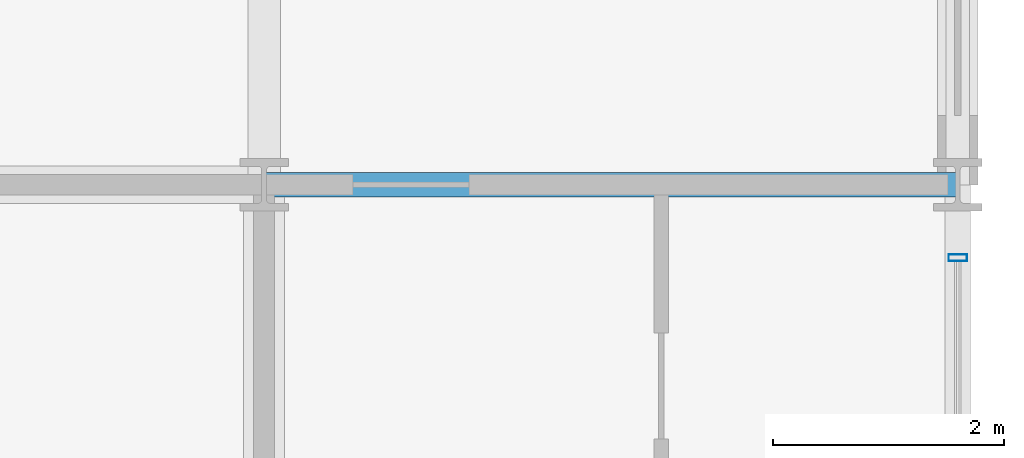
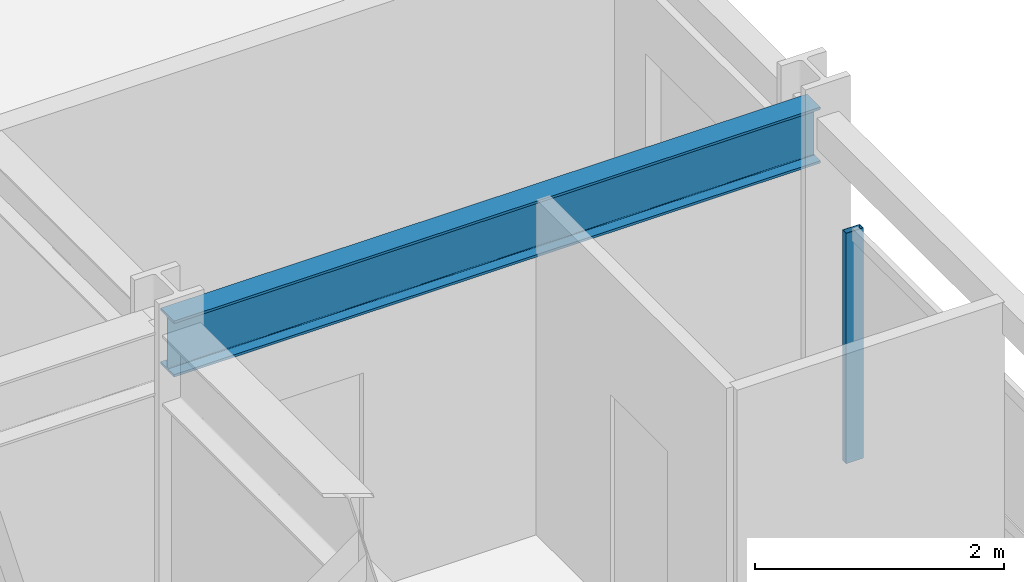
# One storey, part 12 of 26: 1 beam, 1 member, 1 element without a shape of its own.
"""IFC4 building model written with IfcOpenShell, lengths in metres."""

import ifcopenshell
import ifcopenshell.guid

model = None  # the IFC model being written
_history = None  # IfcOwnerHistory: only IFC2X3 demands one
_inside = {}  # id of a spatial element -> (the spatial element, [elements in it])
_under = {}  # id of a project, library or spatial element -> (it, [spatial elements below it])
_declared = {}  # id of a project -> (the project, [libraries it declares])
_typed = {}  # id of a type object -> (the type object, [elements of that type])
_made_of = {}  # id of a material, layer set ... -> (it, [elements and type objects made of it])


def new_model(schema):
    """Start an empty IFC model of exactly this schema.

    Asked for "IFC4X3", IfcOpenShell would pick the latest addendum, in which some entities
    have other attributes; the version numbers below select the first issue.
    IFC2X3 requires an IfcOwnerHistory on every rooted entity: one is made here for all.
    """
    global model, _history
    if schema == "IFC4X3":
        model = ifcopenshell.file(schema_version=(4, 3, 0, 0))
    else:
        model = ifcopenshell.file(schema=schema)
    _inside.clear()
    _under.clear()
    _declared.clear()
    _typed.clear()
    _made_of.clear()
    _history = None
    if model.schema == "IFC2X3":
        org = make("IfcOrganization", Name="unknown")
        user = make(
            "IfcPersonAndOrganization",
            ThePerson=make("IfcPerson", FamilyName="unknown"),
            TheOrganization=org,
        )
        app = make(
            "IfcApplication",
            ApplicationDeveloper=org,
            Version="unknown",
            ApplicationFullName="unknown",
            ApplicationIdentifier="unknown",
        )
        _history = make(
            "IfcOwnerHistory",
            OwningUser=user,
            OwningApplication=app,
            ChangeAction="ADDED",
            CreationDate=0,
        )
    return model


def make(cls, **values):
    """One entity of the class cls with the attributes given. An attribute that is None is left unset."""
    return model.create_entity(
        cls, **{name: value for name, value in values.items() if value is not None}
    )


def rooted(cls, **values):
    """An entity with a GlobalId (a new one), such as an element, a storey or a relation."""
    return make(cls, GlobalId=ifcopenshell.guid.new(), OwnerHistory=_history, **values)


def si_unit(unit_type, name, prefix=None):
    """IfcSIUnit, for example si_unit("LENGTHUNIT", "METRE", prefix="MILLI")."""
    return make("IfcSIUnit", UnitType=unit_type, Prefix=prefix, Name=name)


def assignment(units):
    """IfcUnitAssignment: the units of a project."""
    return None if units is None else make("IfcUnitAssignment", Units=units)


def point(xyz):
    """IfcCartesianPoint."""
    return None if xyz is None else make("IfcCartesianPoint", Coordinates=xyz)


def direction(xyz):
    """IfcDirection."""
    return None if xyz is None else make("IfcDirection", DirectionRatios=xyz)


def frame(location, z_axis=None, x_axis=None):
    """IfcAxis2Placement3D, a coordinate frame: its origin and axes. An axis left out is left unset."""
    return make(
        "IfcAxis2Placement3D",
        Location=point(location),
        Axis=direction(z_axis),
        RefDirection=direction(x_axis),
    )


def frame_2d(location, x_axis=None):
    """IfcAxis2Placement2D, a coordinate frame in the plane: its origin and x axis."""
    return make(
        "IfcAxis2Placement2D", Location=point(location), RefDirection=direction(x_axis)
    )


def origin():
    """The frame at (0, 0, 0) with its axes left unset."""
    return frame((0.0, 0.0, 0.0))


def origin_2d():
    """The frame at (0, 0) in the plane with its x axis left unset."""
    return frame_2d((0.0, 0.0))


def place(relative_to, where):
    """IfcLocalPlacement: puts the frame where relative to a parent placement (None: the world)."""
    return make(
        "IfcLocalPlacement", PlacementRelTo=relative_to, RelativePlacement=where
    )


def context(
    kind, dimensions, precision=None, world=None, true_north=None, identifier=None
):
    """IfcGeometricRepresentationContext, for example the 3D "Model" context."""
    return make(
        "IfcGeometricRepresentationContext",
        ContextIdentifier=identifier,
        ContextType=kind,
        CoordinateSpaceDimension=dimensions,
        Precision=precision,
        WorldCoordinateSystem=world,
        TrueNorth=true_north,
    )


def subcontext(parent, identifier, kind, view, scale=None):
    """IfcGeometricRepresentationSubContext, for example "Body" below "Model"."""
    return make(
        "IfcGeometricRepresentationSubContext",
        ContextIdentifier=identifier,
        ContextType=kind,
        ParentContext=parent,
        TargetScale=scale,
        TargetView=view,
    )


def project(units=None, contexts=None):
    """IfcProject with its units and contexts."""
    return rooted(
        "IfcProject",
        Name="project",
        RepresentationContexts=contexts,
        UnitsInContext=assignment(units),
    )


def spatial(cls, under=None, at=None, **own):
    """A site, building, storey or space (cls), placed at a placement, below another one or the project."""
    s = rooted(cls, ObjectPlacement=at, **own)
    if under is not None:
        _under.setdefault(under.id(), (under, []))[1].append(s)
    return s


def profile(cls, at=None, kind="AREA", **sizes):
    """A parametric profile (cls). Its sizes go by their IFC names, for example OverallWidth=200.0."""
    return make(cls, ProfileType=kind, Position=at, **sizes)


def hollow_rectangle(**sizes):
    """IfcRectangleHollowProfileDef."""
    return profile("IfcRectangleHollowProfileDef", **sizes)


def i_section(**sizes):
    """IfcIShapeProfileDef."""
    return profile("IfcIShapeProfileDef", **sizes)


def extrude(swept, where, along, depth):
    """IfcExtrudedAreaSolid: the profile swept, set in the frame where, extruded along a direction by depth."""
    return make(
        "IfcExtrudedAreaSolid",
        SweptArea=swept,
        Position=where,
        ExtrudedDirection=direction(along),
        Depth=depth,
    )


def shape(context_of_items, identifier, shape_type, items):
    """IfcShapeRepresentation: the items that make up one representation, for example the "Body"."""
    return make(
        "IfcShapeRepresentation",
        ContextOfItems=context_of_items,
        RepresentationIdentifier=identifier,
        RepresentationType=shape_type,
        Items=items,
    )


def material(Name=None, Category=None):
    """IfcMaterial."""
    return make("IfcMaterial", Name=Name, Category=Category)


def material_profile(
    of_material, cross_section, Name=None, Category=None, Priority=None
):
    """IfcMaterialProfile: a cross section and its material."""
    return make(
        "IfcMaterialProfile",
        Name=Name,
        Material=of_material,
        Profile=cross_section,
        Priority=Priority,
        Category=Category,
    )


def profile_set(profiles, Name=None, composite=None):
    """IfcMaterialProfileSet."""
    return make(
        "IfcMaterialProfileSet",
        Name=Name,
        MaterialProfiles=profiles,
        CompositeProfile=composite,
    )


def made_of(thing, what):
    """Note that an element or type object is made of a material, layer set ...; save() writes the relation."""
    if what is not None:
        _made_of.setdefault(what.id(), (what, []))[1].append(thing)
    return thing


def type_object(cls, material=None, **own):
    """A type object (cls), such as IfcWallType, which elements share."""
    return made_of(rooted(cls, **own), material)


def element(
    cls,
    number,
    at=None,
    inside=None,
    cuts=None,
    type_object=None,
    material=None,
    context=None,
    identifier="Body",
    shape_type=None,
    held_by="IfcProductDefinitionShape",
    body=None,
    shapes=None,
    **own,
):
    """One element of the class cls, such as IfcWall. Its Tag is "e" and its number.

    at: its placement. inside: the storey or other place that contains it. cuts: it is an
    opening in that element (IfcRelVoidsElement). A single representation is given by context,
    identifier, shape_type and body (its items); several are given by shapes. held_by: the class
    of the entity that holds the representations. save() writes the other relations.
    """
    e = rooted(cls, Tag="e%d" % number, ObjectPlacement=at, **own)
    if body is not None:
        shapes = [shape(context, identifier, shape_type, body)]
    if shapes is not None:
        e.Representation = make(held_by, Representations=shapes)
    if inside is not None:
        _inside.setdefault(inside.id(), (inside, []))[1].append(e)
    if cuts is not None:
        rooted(
            "IfcRelVoidsElement", RelatingBuildingElement=cuts, RelatedOpeningElement=e
        )
    if type_object is not None:
        _typed.setdefault(type_object.id(), (type_object, []))[1].append(e)
    return made_of(e, material)


def aggregate(whole, parts):
    """IfcRelAggregates: a whole, such as a stair, and the parts it consists of."""
    return rooted("IfcRelAggregates", RelatingObject=whole, RelatedObjects=parts)


def save(model, path):
    """Write the relations noted so far, then the file.

    IfcRelAggregates (storeys below a building ...), IfcRelContainedInSpatialStructure (elements
    in a storey), IfcRelDefinesByType, IfcRelAssociatesMaterial and IfcRelDeclares: one each for
    every whole, place, type object, material and project.
    """
    for whole, parts in _under.values():
        aggregate(whole, parts)
    for where, things in _inside.values():
        rooted(
            "IfcRelContainedInSpatialStructure",
            RelatedElements=things,
            RelatingStructure=where,
        )
    for kind, things in _typed.values():
        rooted("IfcRelDefinesByType", RelatedObjects=things, RelatingType=kind)
    for what, things in _made_of.values():
        rooted("IfcRelAssociatesMaterial", RelatedObjects=things, RelatingMaterial=what)
    for by, libraries in _declared.values():
        rooted("IfcRelDeclares", RelatingContext=by, RelatedDefinitions=libraries)
    model.write(path)


model = new_model("IFC4")

# Units and contexts
model_context = context("Model", 3, precision=1e-05, world=origin(), true_north=direction((0.0, 1.0)))
body_context = subcontext(model_context, "Body", "Model", "MODEL_VIEW")
ifc_project = project(units=[si_unit("LENGTHUNIT", "METRE"), si_unit("AREAUNIT", "SQUARE_METRE"), si_unit("VOLUMEUNIT", "CUBIC_METRE"), si_unit("PLANEANGLEUNIT", "RADIAN"), si_unit("MASSUNIT", "GRAM", prefix="KILO")], contexts=[model_context])

# Site, building, storey
site_placement = place(None, origin())
site = spatial("IfcSite", under=ifc_project, at=site_placement, CompositionType="ELEMENT")
building_placement = place(site_placement, origin())
building = spatial("IfcBuilding", under=site, at=building_placement, Name="Kaldorvane Square Convention Centre", CompositionType="ELEMENT")
storey_placement = place(building_placement, frame((0.0, 0.0, 45.600006103515625)))
storey = spatial("IfcBuildingStorey", under=building, at=storey_placement, Name="L10", CompositionType="ELEMENT", Elevation=45.600006103515625)

# Beam
ifc_material_1 = material(Name="Steel ASTM A992 Gr. 50", Category="steel")
ifc_material_profile_1 = material_profile(ifc_material_1, i_section(OverallWidth=0.213897705078125, OverallDepth=0.549102783203125, WebThickness=0.0146942138671875, FlangeThickness=0.0236053466796875, FilletRadius=0.0126953125, at=origin_2d()), Name="W21X93")
ifc_profile_set_1 = profile_set([ifc_material_profile_1], Name="Steel ASTM A992 Gr. 50")
beam_type = type_object("IfcBeamType", Name="BM-GR-W21X93", PredefinedType="BEAM", material=ifc_profile_set_1)
beam_placement = place(storey_placement, frame((78.0, 96.0, 3.0114898681640625), z_axis=(1.0, 0.0, 0.0), x_axis=(0.0, 1.0, 0.0)))
element("IfcBeam", 1, at=beam_placement, inside=storey, type_object=beam_type, Name="Primary Girder (L10)", PredefinedType="BEAM", context=body_context, shape_type="SweptSolid", body=[
    extrude(i_section(OverallWidth=0.213897705078125, OverallDepth=0.549102783203125, WebThickness=0.0146942138671875, FlangeThickness=0.0236053466796875, FilletRadius=0.0126953125, at=origin_2d()), origin(), (0.0, 0.0, 1.0), 6.0),
])

# Curtain wall, member
ifc_material_2 = material(Name="Anodized Aluminum and Low-E Insulated Glazing", Category="aluminium")
curtain_wall_type = type_object("IfcCurtainWallType", Name="CW-UNI-HTL-A", PredefinedType="USERDEFINED", material=ifc_material_2)
curtain_wall_placement = place(storey_placement, origin())
curtain_wall = element("IfcCurtainWall", 2, at=curtain_wall_placement, inside=storey, type_object=curtain_wall_type, Name="Curtain Wall CW-10 (L10)", ObjectType="UNITISED GLAZING", PredefinedType="USERDEFINED")
ifc_material_profile_2 = material_profile(ifc_material_2, hollow_rectangle(XDim=0.05999755859375, YDim=0.160003662109375, WallThickness=0.003204345703125, at=origin_2d()), Name="CWM-160X60")
ifc_profile_set_2 = profile_set([ifc_material_profile_2], Name="Anodized Aluminum and Low-E Insulated Glazing")
member_type = type_object("IfcMemberType", Name="CW-MUL-160", PredefinedType="MULLION", material=ifc_profile_set_2)
member_placement = place(storey_placement, frame((84.0, 95.3699951171875, 0.149993896484375), z_axis=(0.0, 0.0, 1.0), x_axis=(0.0, 1.0, 0.0)))
member = element("IfcMember", 3, at=member_placement, type_object=member_type, Name="CW-10 mullion 4", PredefinedType="MULLION", context=body_context, shape_type="SweptSolid", body=[
    extrude(hollow_rectangle(XDim=0.05999755859375, YDim=0.160003662109375, WallThickness=0.003204345703125, at=origin_2d()), origin(), (0.0, 0.0, 1.0), 2.2599945068359375),
])
aggregate(curtain_wall, [member])

save(model, "model.ifc")
